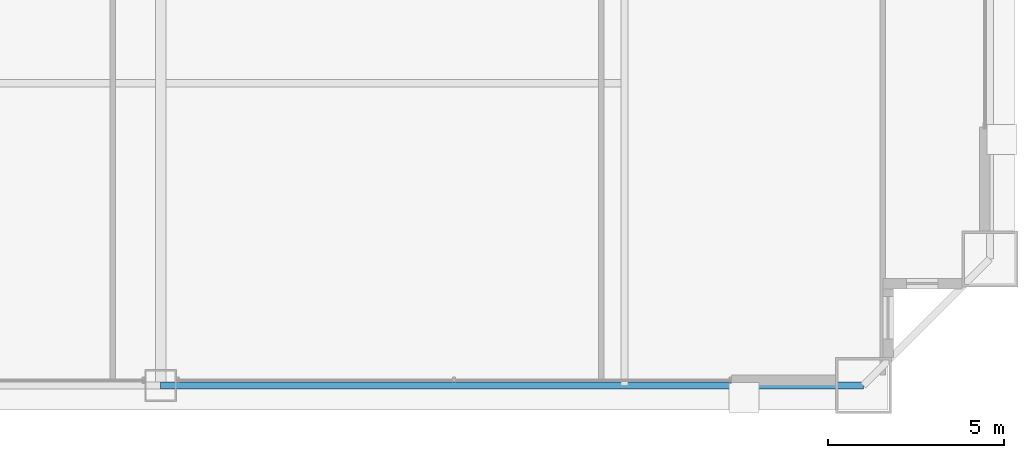
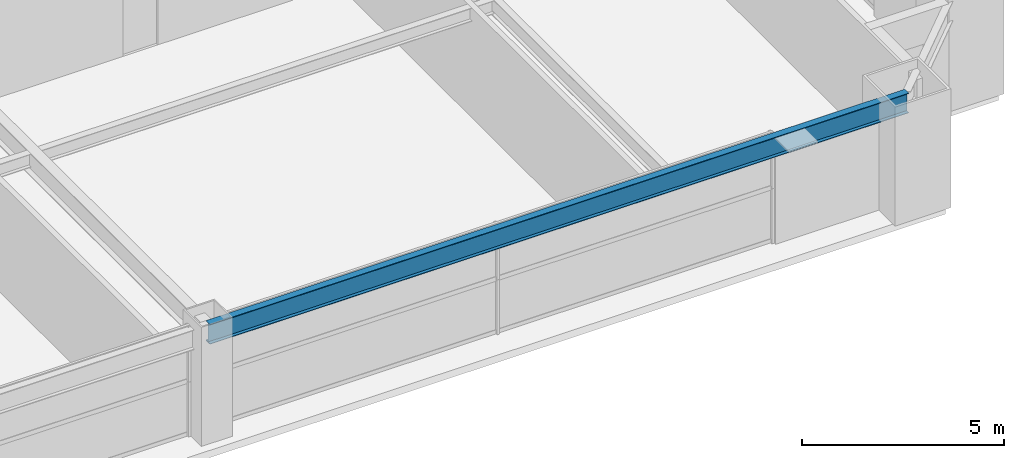
# One storey, part 14 of 38: 1 beam.
"""IFC4 building model written with IfcOpenShell, lengths in metres."""

import ifcopenshell
import ifcopenshell.guid

model = None  # the IFC model being written
_history = None  # IfcOwnerHistory: only IFC2X3 demands one
_inside = {}  # id of a spatial element -> (the spatial element, [elements in it])
_under = {}  # id of a project, library or spatial element -> (it, [spatial elements below it])
_declared = {}  # id of a project -> (the project, [libraries it declares])
_typed = {}  # id of a type object -> (the type object, [elements of that type])
_made_of = {}  # id of a material, layer set ... -> (it, [elements and type objects made of it])


def new_model(schema):
    """Start an empty IFC model of exactly this schema.

    Asked for "IFC4X3", IfcOpenShell would pick the latest addendum, in which some entities
    have other attributes; the version numbers below select the first issue.
    IFC2X3 requires an IfcOwnerHistory on every rooted entity: one is made here for all.
    """
    global model, _history
    if schema == "IFC4X3":
        model = ifcopenshell.file(schema_version=(4, 3, 0, 0))
    else:
        model = ifcopenshell.file(schema=schema)
    _inside.clear()
    _under.clear()
    _declared.clear()
    _typed.clear()
    _made_of.clear()
    _history = None
    if model.schema == "IFC2X3":
        org = make("IfcOrganization", Name="unknown")
        user = make(
            "IfcPersonAndOrganization",
            ThePerson=make("IfcPerson", FamilyName="unknown"),
            TheOrganization=org,
        )
        app = make(
            "IfcApplication",
            ApplicationDeveloper=org,
            Version="unknown",
            ApplicationFullName="unknown",
            ApplicationIdentifier="unknown",
        )
        _history = make(
            "IfcOwnerHistory",
            OwningUser=user,
            OwningApplication=app,
            ChangeAction="ADDED",
            CreationDate=0,
        )
    return model


def make(cls, **values):
    """One entity of the class cls with the attributes given. An attribute that is None is left unset."""
    return model.create_entity(
        cls, **{name: value for name, value in values.items() if value is not None}
    )


def rooted(cls, **values):
    """An entity with a GlobalId (a new one), such as an element, a storey or a relation."""
    return make(cls, GlobalId=ifcopenshell.guid.new(), OwnerHistory=_history, **values)


def si_unit(unit_type, name, prefix=None):
    """IfcSIUnit, for example si_unit("LENGTHUNIT", "METRE", prefix="MILLI")."""
    return make("IfcSIUnit", UnitType=unit_type, Prefix=prefix, Name=name)


def assignment(units):
    """IfcUnitAssignment: the units of a project."""
    return None if units is None else make("IfcUnitAssignment", Units=units)


def point(xyz):
    """IfcCartesianPoint."""
    return None if xyz is None else make("IfcCartesianPoint", Coordinates=xyz)


def direction(xyz):
    """IfcDirection."""
    return None if xyz is None else make("IfcDirection", DirectionRatios=xyz)


def frame(location, z_axis=None, x_axis=None):
    """IfcAxis2Placement3D, a coordinate frame: its origin and axes. An axis left out is left unset."""
    return make(
        "IfcAxis2Placement3D",
        Location=point(location),
        Axis=direction(z_axis),
        RefDirection=direction(x_axis),
    )


def frame_2d(location, x_axis=None):
    """IfcAxis2Placement2D, a coordinate frame in the plane: its origin and x axis."""
    return make(
        "IfcAxis2Placement2D", Location=point(location), RefDirection=direction(x_axis)
    )


def origin():
    """The frame at (0, 0, 0) with its axes left unset."""
    return frame((0.0, 0.0, 0.0))


def origin_2d():
    """The frame at (0, 0) in the plane with its x axis left unset."""
    return frame_2d((0.0, 0.0))


def place(relative_to, where):
    """IfcLocalPlacement: puts the frame where relative to a parent placement (None: the world)."""
    return make(
        "IfcLocalPlacement", PlacementRelTo=relative_to, RelativePlacement=where
    )


def context(
    kind, dimensions, precision=None, world=None, true_north=None, identifier=None
):
    """IfcGeometricRepresentationContext, for example the 3D "Model" context."""
    return make(
        "IfcGeometricRepresentationContext",
        ContextIdentifier=identifier,
        ContextType=kind,
        CoordinateSpaceDimension=dimensions,
        Precision=precision,
        WorldCoordinateSystem=world,
        TrueNorth=true_north,
    )


def subcontext(parent, identifier, kind, view, scale=None):
    """IfcGeometricRepresentationSubContext, for example "Body" below "Model"."""
    return make(
        "IfcGeometricRepresentationSubContext",
        ContextIdentifier=identifier,
        ContextType=kind,
        ParentContext=parent,
        TargetScale=scale,
        TargetView=view,
    )


def project(units=None, contexts=None):
    """IfcProject with its units and contexts."""
    return rooted(
        "IfcProject",
        Name="project",
        RepresentationContexts=contexts,
        UnitsInContext=assignment(units),
    )


def spatial(cls, under=None, at=None, **own):
    """A site, building, storey or space (cls), placed at a placement, below another one or the project."""
    s = rooted(cls, ObjectPlacement=at, **own)
    if under is not None:
        _under.setdefault(under.id(), (under, []))[1].append(s)
    return s


def profile(cls, at=None, kind="AREA", **sizes):
    """A parametric profile (cls). Its sizes go by their IFC names, for example OverallWidth=200.0."""
    return make(cls, ProfileType=kind, Position=at, **sizes)


def i_section(**sizes):
    """IfcIShapeProfileDef."""
    return profile("IfcIShapeProfileDef", **sizes)


def extrude(swept, where, along, depth):
    """IfcExtrudedAreaSolid: the profile swept, set in the frame where, extruded along a direction by depth."""
    return make(
        "IfcExtrudedAreaSolid",
        SweptArea=swept,
        Position=where,
        ExtrudedDirection=direction(along),
        Depth=depth,
    )


def shape(context_of_items, identifier, shape_type, items):
    """IfcShapeRepresentation: the items that make up one representation, for example the "Body"."""
    return make(
        "IfcShapeRepresentation",
        ContextOfItems=context_of_items,
        RepresentationIdentifier=identifier,
        RepresentationType=shape_type,
        Items=items,
    )


def source(mapping_origin, context_of_items, identifier, shape_type, items):
    """IfcRepresentationMap: a shape defined once, which mapped items show again and again."""
    return make(
        "IfcRepresentationMap",
        MappingOrigin=mapping_origin,
        MappedRepresentation=shape(context_of_items, identifier, shape_type, items),
    )


def transform(
    local_origin,
    x_axis=None,
    y_axis=None,
    z_axis=None,
    scale=None,
    scale2=None,
    scale3=None,
    uniform=True,
):
    """IfcCartesianTransformationOperator3D, or its non-uniform kind. x_axis, y_axis, z_axis: its Axis1, 2, 3."""
    if uniform:
        return make(
            "IfcCartesianTransformationOperator3D",
            Axis1=direction(x_axis),
            Axis2=direction(y_axis),
            LocalOrigin=point(local_origin),
            Scale=scale,
            Axis3=direction(z_axis),
        )
    return make(
        "IfcCartesianTransformationOperator3DnonUniform",
        Axis1=direction(x_axis),
        Axis2=direction(y_axis),
        LocalOrigin=point(local_origin),
        Scale=scale,
        Axis3=direction(z_axis),
        Scale2=scale2,
        Scale3=scale3,
    )


def mapped(mapping_source, mapping_target):
    """IfcMappedItem: shows the shape of a source again, moved by a transform."""
    return make(
        "IfcMappedItem", MappingSource=mapping_source, MappingTarget=mapping_target
    )


def material(Name=None, Category=None):
    """IfcMaterial."""
    return make("IfcMaterial", Name=Name, Category=Category)


def material_profile(
    of_material, cross_section, Name=None, Category=None, Priority=None
):
    """IfcMaterialProfile: a cross section and its material."""
    return make(
        "IfcMaterialProfile",
        Name=Name,
        Material=of_material,
        Profile=cross_section,
        Priority=Priority,
        Category=Category,
    )


def profile_set(profiles, Name=None, composite=None):
    """IfcMaterialProfileSet."""
    return make(
        "IfcMaterialProfileSet",
        Name=Name,
        MaterialProfiles=profiles,
        CompositeProfile=composite,
    )


def made_of(thing, what):
    """Note that an element or type object is made of a material, layer set ...; save() writes the relation."""
    if what is not None:
        _made_of.setdefault(what.id(), (what, []))[1].append(thing)
    return thing


def type_object(cls, material=None, **own):
    """A type object (cls), such as IfcWallType, which elements share."""
    return made_of(rooted(cls, **own), material)


def element(
    cls,
    number,
    at=None,
    inside=None,
    cuts=None,
    type_object=None,
    material=None,
    context=None,
    identifier="Body",
    shape_type=None,
    held_by="IfcProductDefinitionShape",
    body=None,
    shapes=None,
    **own,
):
    """One element of the class cls, such as IfcWall. Its Tag is "e" and its number.

    at: its placement. inside: the storey or other place that contains it. cuts: it is an
    opening in that element (IfcRelVoidsElement). A single representation is given by context,
    identifier, shape_type and body (its items); several are given by shapes. held_by: the class
    of the entity that holds the representations. save() writes the other relations.
    """
    e = rooted(cls, Tag="e%d" % number, ObjectPlacement=at, **own)
    if body is not None:
        shapes = [shape(context, identifier, shape_type, body)]
    if shapes is not None:
        e.Representation = make(held_by, Representations=shapes)
    if inside is not None:
        _inside.setdefault(inside.id(), (inside, []))[1].append(e)
    if cuts is not None:
        rooted(
            "IfcRelVoidsElement", RelatingBuildingElement=cuts, RelatedOpeningElement=e
        )
    if type_object is not None:
        _typed.setdefault(type_object.id(), (type_object, []))[1].append(e)
    return made_of(e, material)


def aggregate(whole, parts):
    """IfcRelAggregates: a whole, such as a stair, and the parts it consists of."""
    return rooted("IfcRelAggregates", RelatingObject=whole, RelatedObjects=parts)


def save(model, path):
    """Write the relations noted so far, then the file.

    IfcRelAggregates (storeys below a building ...), IfcRelContainedInSpatialStructure (elements
    in a storey), IfcRelDefinesByType, IfcRelAssociatesMaterial and IfcRelDeclares: one each for
    every whole, place, type object, material and project.
    """
    for whole, parts in _under.values():
        aggregate(whole, parts)
    for where, things in _inside.values():
        rooted(
            "IfcRelContainedInSpatialStructure",
            RelatedElements=things,
            RelatingStructure=where,
        )
    for kind, things in _typed.values():
        rooted("IfcRelDefinesByType", RelatedObjects=things, RelatingType=kind)
    for what, things in _made_of.values():
        rooted("IfcRelAssociatesMaterial", RelatedObjects=things, RelatingMaterial=what)
    for by, libraries in _declared.values():
        rooted("IfcRelDeclares", RelatingContext=by, RelatedDefinitions=libraries)
    model.write(path)


model = new_model("IFC4")

# Units and contexts
model_context = context("Model", 3, precision=1e-05, world=origin(), true_north=direction((0.0, 1.0)))
body_context = subcontext(model_context, "Body", "Model", "MODEL_VIEW")
ifc_project = project(units=[si_unit("LENGTHUNIT", "METRE"), si_unit("AREAUNIT", "SQUARE_METRE"), si_unit("VOLUMEUNIT", "CUBIC_METRE"), si_unit("PLANEANGLEUNIT", "RADIAN"), si_unit("MASSUNIT", "GRAM", prefix="KILO"), si_unit("THERMODYNAMICTEMPERATUREUNIT", "KELVIN"), si_unit("POWERUNIT", "WATT")], contexts=[model_context])

# Site, building, storey
site_placement = place(None, origin())
site = spatial("IfcSite", under=ifc_project, at=site_placement, CompositionType="ELEMENT")
building_placement = place(site_placement, origin())
building = spatial("IfcBuilding", under=site, at=building_placement, Name="Yuzanri Waterfront Tower", CompositionType="ELEMENT")
storey_placement = place(building_placement, frame((0.0, 0.0, 126.199951171875)))
storey = spatial("IfcBuildingStorey", under=building, at=storey_placement, Name="L33", CompositionType="ELEMENT", Elevation=126.199951171875)

# Beam
ifc_material = material(Name="Steel Q355B", Category="steel")
ifc_material_profile = material_profile(ifc_material, i_section(OverallWidth=0.199951171875, OverallDepth=0.60009765625, WebThickness=0.010986328125, FlangeThickness=0.01708984375, at=origin_2d()), Name="HN 600x200x11x17")
ifc_profile_set = profile_set([ifc_material_profile], Name="Steel Q355B")
beam_type = type_object("IfcBeamType", Name="Perimeter Spandrel Q355B HN 600x200", PredefinedType="SPANDREL", material=ifc_profile_set)
shared_shape = source(origin(), body_context, "Body", "SweptSolid", [
    extrude(i_section(OverallWidth=0.199951171875, OverallDepth=0.60009765625, WebThickness=0.010986328125, FlangeThickness=0.01708984375, at=origin_2d()), origin(), (0.0, 0.0, 1.0), 20.0),
])
beam_placement = place(storey_placement, frame((37.0, 2.199951171875, 3.02001953125), z_axis=(1.0, 0.0, 0.0), x_axis=(0.0, 1.0, 0.0)))
element("IfcBeam", 1, at=beam_placement, inside=storey, type_object=beam_type, Name="L33 Perimeter Spandrel S2-S3", PredefinedType="SPANDREL", context=body_context, shape_type="MappedRepresentation", body=[
    mapped(shared_shape, transform((0.0, 0.0, 0.0), scale=1.0)),
])

save(model, "model.ifc")
